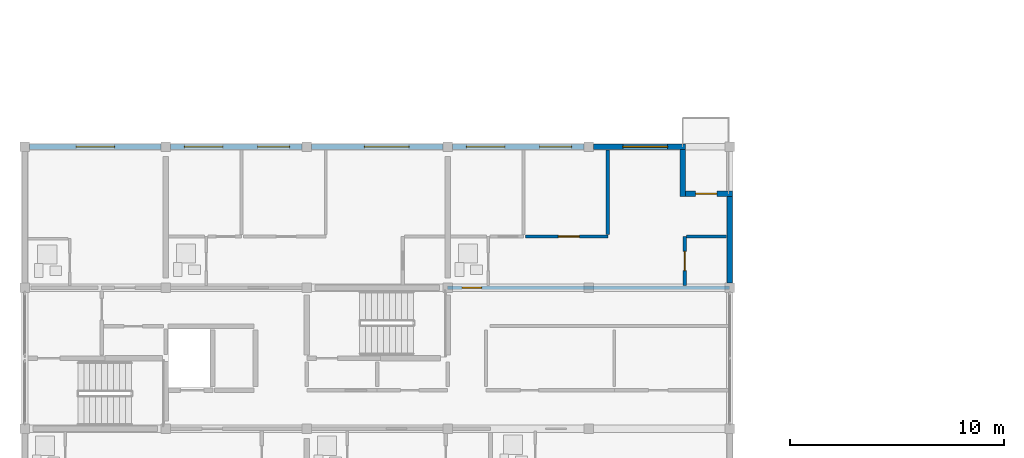
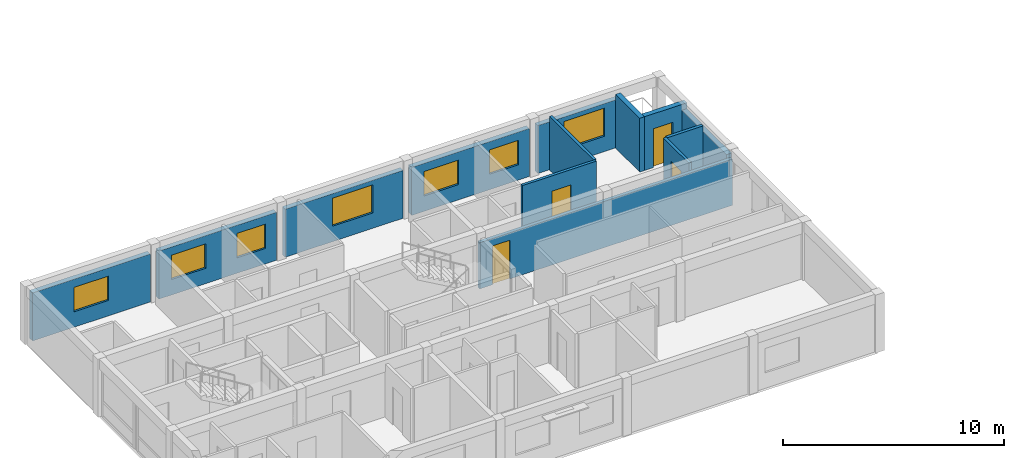
# One storey, part 22 of 37: 13 walls, 7 windows, 4 doors, 11 openings.
"""IFC4 building model written with IfcOpenShell, lengths in metres."""

from ifc_helpers import new_model, si_unit, direction, frame, frame_2d, origin, place, context, subcontext, project, spatial, rectangle, extrude, material, layer, layer_set, type_object, element, fill, save


model = new_model("IFC4")

# Units and contexts
model_context = context("Model", 3, precision=1e-05, world=origin(), true_north=direction((0.0, 1.0)))
body_context = subcontext(model_context, "Body", "Model", "MODEL_VIEW")
ifc_project = project(units=[si_unit("LENGTHUNIT", "METRE"), si_unit("AREAUNIT", "SQUARE_METRE"), si_unit("VOLUMEUNIT", "CUBIC_METRE"), si_unit("PLANEANGLEUNIT", "RADIAN"), si_unit("MASSUNIT", "GRAM", prefix="KILO")], contexts=[model_context])

# Site, building, storey
site_placement = place(None, origin())
site = spatial("IfcSite", under=ifc_project, at=site_placement, CompositionType="ELEMENT")
building_placement = place(site_placement, origin())
building = spatial("IfcBuilding", under=site, at=building_placement, Name="Kernevlak Ridge Housing Community", CompositionType="ELEMENT")
storey_placement = place(building_placement, frame((0.0, 0.0, 37.199951171875)))
storey = spatial("IfcBuildingStorey", under=building, at=storey_placement, Name="L11", CompositionType="ELEMENT", Elevation=37.199951171875)

# Wall, opening, window
ifc_material_1 = material(Name="Concrete block masonry M10", Category="masonry")
ifc_layer_1 = layer(ifc_material_1, 0.260009765625, Name="Concrete block masonry M10")
ifc_layer_set_1 = layer_set([ifc_layer_1], Name="Concrete block masonry M10")
wall_type_1 = type_object("IfcWallType", Name="EW-05", PredefinedType="STANDARD", material=ifc_layer_set_1)
wall_1_placement = place(storey_placement, frame((15.824951171875, 95.800048828125, 0.0), z_axis=(0.0, 0.0, 1.0), x_axis=(1.0, 0.0, 0.0)))
wall_1 = element("IfcWall", 1, at=wall_1_placement, inside=storey, type_object=wall_type_1, Name="Exterior wall EW-05 L11 178", PredefinedType="STANDARD", context=body_context, shape_type="SweptSolid", body=[
    extrude(rectangle(XDim=6.150146484375, YDim=0.260009765625, at=frame_2d((3.0751953125, 0.0))), origin(), (0.0, 0.0, 1.0), 2.650146484375),
])
opening_1_placement = place(wall_1_placement, frame((2.175048828125, 0.0, 0.85009765625)))
opening_1 = element("IfcOpeningElement", 2, at=opening_1_placement, cuts=wall_1, Name="Opening WT-03", PredefinedType="OPENING", context=body_context, shape_type="SweptSolid", body=[
    extrude(rectangle(XDim=1.800048828125, YDim=1.35009765625, at=frame_2d((0.89990234375, 0.675048828125))), frame((0.0, 0.139892578125, 0.0), z_axis=(0.0, -1.0, 0.0), x_axis=(1.0, 0.0, 0.0)), (0.0, 0.0, 1.0), 0.280029296875),
])
ifc_material_2 = material(Name="Aluminium EN AW-6060 anodised and laminated glass", Category="aluminium")
window_type_1 = type_object("IfcWindowType", Name="WT-03", PartitioningType="SINGLE_PANEL", PredefinedType="WINDOW", material=ifc_material_2)
window_1_placement = place(opening_1_placement, origin())
window_1 = element("IfcWindow", 3, at=window_1_placement, inside=storey, type_object=window_type_1, Name="Window WT-03 L11 141", OverallHeight=1.35009765625, OverallWidth=1.800048828125, PartitioningType="SINGLE_PANEL", PredefinedType="WINDOW", context=body_context, shape_type="SweptSolid", body=[
    extrude(rectangle(XDim=1.800048828125, YDim=1.35009765625, at=frame_2d((0.89990234375, 0.675048828125))), frame((0.0, 0.030029296875, 0.0), z_axis=(0.0, -1.0, 0.0), x_axis=(1.0, 0.0, 0.0)), (0.0, 0.0, 1.0), 0.06005859375),
])
fill(opening_1, window_1)

# Wall, openings, windows
wall_2_placement = place(storey_placement, frame((22.425048828125, 95.800048828125, 0.0), z_axis=(0.0, 0.0, 1.0), x_axis=(1.0, 0.0, 0.0)))
wall_2 = element("IfcWall", 4, at=wall_2_placement, inside=storey, type_object=wall_type_1, Name="Exterior wall EW-05 L11 179", PredefinedType="STANDARD", context=body_context, shape_type="SweptSolid", body=[
    extrude(rectangle(XDim=6.14990234375, YDim=0.260009765625, at=frame_2d((3.074951171875, 0.0))), origin(), (0.0, 0.0, 1.0), 2.650146484375),
])
opening_2_placement = place(wall_2_placement, frame((0.64990234375, 0.0, 0.85009765625)))
opening_2 = element("IfcOpeningElement", 5, at=opening_2_placement, cuts=wall_2, Name="Opening WT-03", PredefinedType="OPENING", context=body_context, shape_type="SweptSolid", body=[
    extrude(rectangle(XDim=1.800048828125, YDim=1.35009765625, at=frame_2d((0.89990234375, 0.675048828125))), frame((0.0, 0.139892578125, 0.0), z_axis=(0.0, -1.0, 0.0), x_axis=(1.0, 0.0, 0.0)), (0.0, 0.0, 1.0), 0.280029296875),
])
opening_3_placement = place(wall_2_placement, frame((4.074951171875, 0.0, 0.85009765625)))
opening_3 = element("IfcOpeningElement", 6, at=opening_3_placement, cuts=wall_2, Name="Opening WT-02", PredefinedType="OPENING", context=body_context, shape_type="SweptSolid", body=[
    extrude(rectangle(XDim=1.5, YDim=1.35009765625, at=frame_2d((0.75, 0.675048828125))), frame((0.0, 0.139892578125, 0.0), z_axis=(0.0, -1.0, 0.0), x_axis=(1.0, 0.0, 0.0)), (0.0, 0.0, 1.0), 0.280029296875),
])
window_type_2 = type_object("IfcWindowType", Name="WT-02", PartitioningType="SINGLE_PANEL", PredefinedType="WINDOW", material=ifc_material_2)
window_2_placement = place(opening_3_placement, origin())
window_2 = element("IfcWindow", 7, at=window_2_placement, inside=storey, type_object=window_type_2, Name="Window WT-02 L11 143", OverallHeight=1.35009765625, OverallWidth=1.5, PartitioningType="SINGLE_PANEL", PredefinedType="WINDOW", context=body_context, shape_type="SweptSolid", body=[
    extrude(rectangle(XDim=1.5, YDim=1.35009765625, at=frame_2d((0.75, 0.675048828125))), frame((0.0, 0.030029296875, 0.0), z_axis=(0.0, -1.0, 0.0), x_axis=(1.0, 0.0, 0.0)), (0.0, 0.0, 1.0), 0.06005859375),
])
fill(opening_3, window_2)
window_3_placement = place(opening_2_placement, origin())
window_3 = element("IfcWindow", 8, at=window_3_placement, inside=storey, type_object=window_type_1, Name="Window WT-03 L11 142", OverallHeight=1.35009765625, OverallWidth=1.800048828125, PartitioningType="SINGLE_PANEL", PredefinedType="WINDOW", context=body_context, shape_type="SweptSolid", body=[
    extrude(rectangle(XDim=1.800048828125, YDim=1.35009765625, at=frame_2d((0.89990234375, 0.675048828125))), frame((0.0, 0.030029296875, 0.0), z_axis=(0.0, -1.0, 0.0), x_axis=(1.0, 0.0, 0.0)), (0.0, 0.0, 1.0), 0.06005859375),
])
fill(opening_2, window_3)

# Wall, opening, window
wall_3_placement = place(storey_placement, frame((29.02490234375, 95.800048828125, 0.0), z_axis=(0.0, 0.0, 1.0), x_axis=(1.0, 0.0, 0.0)))
wall_3 = element("IfcWall", 9, at=wall_3_placement, inside=storey, type_object=wall_type_1, Name="Exterior wall EW-05 L11 180", PredefinedType="STANDARD", context=body_context, shape_type="SweptSolid", body=[
    extrude(rectangle(XDim=6.150146484375, YDim=0.260009765625, at=frame_2d((3.0751953125, 0.0))), origin(), (0.0, 0.0, 1.0), 2.650146484375),
])
opening_4_placement = place(wall_3_placement, frame((2.470947265625, 0.0, 0.85009765625)))
opening_4 = element("IfcOpeningElement", 10, at=opening_4_placement, cuts=wall_3, Name="Opening WT-05", PredefinedType="OPENING", context=body_context, shape_type="SweptSolid", body=[
    extrude(rectangle(XDim=2.10009765625, YDim=1.550048828125, at=frame_2d((1.050048828125, 0.77490234375))), frame((0.0, 0.139892578125, 0.0), z_axis=(0.0, -1.0, 0.0), x_axis=(1.0, 0.0, 0.0)), (0.0, 0.0, 1.0), 0.280029296875),
])
window_type_3 = type_object("IfcWindowType", Name="WT-05", PartitioningType="SINGLE_PANEL", PredefinedType="WINDOW", material=ifc_material_2)
window_4_placement = place(opening_4_placement, origin())
window_4 = element("IfcWindow", 11, at=window_4_placement, inside=storey, type_object=window_type_3, Name="Window WT-05 L11 144", OverallHeight=1.550048828125, OverallWidth=2.10009765625, PartitioningType="SINGLE_PANEL", PredefinedType="WINDOW", context=body_context, shape_type="SweptSolid", body=[
    extrude(rectangle(XDim=2.10009765625, YDim=1.550048828125, at=frame_2d((1.050048828125, 0.77490234375))), frame((0.0, 0.030029296875, 0.0), z_axis=(0.0, -1.0, 0.0), x_axis=(1.0, 0.0, 0.0)), (0.0, 0.0, 1.0), 0.06005859375),
])
fill(opening_4, window_4)

# Wall, openings, windows
wall_4_placement = place(storey_placement, frame((35.625, 95.800048828125, 0.0), z_axis=(0.0, 0.0, 1.0), x_axis=(1.0, 0.0, 0.0)))
wall_4 = element("IfcWall", 12, at=wall_4_placement, inside=storey, type_object=wall_type_1, Name="Exterior wall EW-05 L11 181", PredefinedType="STANDARD", context=body_context, shape_type="SweptSolid", body=[
    extrude(rectangle(XDim=6.14990234375, YDim=0.260009765625, at=frame_2d((3.074951171875, 0.0))), origin(), (0.0, 0.0, 1.0), 2.650146484375),
])
opening_5_placement = place(wall_4_placement, frame((0.64990234375, 0.0, 0.85009765625)))
opening_5 = element("IfcOpeningElement", 13, at=opening_5_placement, cuts=wall_4, Name="Opening WT-03", PredefinedType="OPENING", context=body_context, shape_type="SweptSolid", body=[
    extrude(rectangle(XDim=1.800048828125, YDim=1.35009765625, at=frame_2d((0.89990234375, 0.675048828125))), frame((0.0, 0.139892578125, 0.0), z_axis=(0.0, -1.0, 0.0), x_axis=(1.0, 0.0, 0.0)), (0.0, 0.0, 1.0), 0.280029296875),
])
opening_6_placement = place(wall_4_placement, frame((4.074951171875, 0.0, 0.85009765625)))
opening_6 = element("IfcOpeningElement", 14, at=opening_6_placement, cuts=wall_4, Name="Opening WT-02", PredefinedType="OPENING", context=body_context, shape_type="SweptSolid", body=[
    extrude(rectangle(XDim=1.5, YDim=1.35009765625, at=frame_2d((0.75, 0.675048828125))), frame((0.0, 0.139892578125, 0.0), z_axis=(0.0, -1.0, 0.0), x_axis=(1.0, 0.0, 0.0)), (0.0, 0.0, 1.0), 0.280029296875),
])
window_5_placement = place(opening_6_placement, origin())
window_5 = element("IfcWindow", 15, at=window_5_placement, inside=storey, type_object=window_type_2, Name="Window WT-02 L11 146", OverallHeight=1.35009765625, OverallWidth=1.5, PartitioningType="SINGLE_PANEL", PredefinedType="WINDOW", context=body_context, shape_type="SweptSolid", body=[
    extrude(rectangle(XDim=1.5, YDim=1.35009765625, at=frame_2d((0.75, 0.675048828125))), frame((0.0, 0.030029296875, 0.0), z_axis=(0.0, -1.0, 0.0), x_axis=(1.0, 0.0, 0.0)), (0.0, 0.0, 1.0), 0.06005859375),
])
fill(opening_6, window_5)
window_6_placement = place(opening_5_placement, origin())
window_6 = element("IfcWindow", 16, at=window_6_placement, inside=storey, type_object=window_type_1, Name="Window WT-03 L11 145", OverallHeight=1.35009765625, OverallWidth=1.800048828125, PartitioningType="SINGLE_PANEL", PredefinedType="WINDOW", context=body_context, shape_type="SweptSolid", body=[
    extrude(rectangle(XDim=1.800048828125, YDim=1.35009765625, at=frame_2d((0.89990234375, 0.675048828125))), frame((0.0, 0.030029296875, 0.0), z_axis=(0.0, -1.0, 0.0), x_axis=(1.0, 0.0, 0.0)), (0.0, 0.0, 1.0), 0.06005859375),
])
fill(opening_5, window_6)

# Wall, opening, window
wall_5_placement = place(storey_placement, frame((42.22509765625, 95.800048828125, 0.0), z_axis=(0.0, 0.0, 1.0), x_axis=(1.0, 0.0, 0.0)))
wall_5 = element("IfcWall", 17, at=wall_5_placement, inside=storey, type_object=wall_type_1, Name="Exterior wall EW-05 L11 182", PredefinedType="STANDARD", context=body_context, shape_type="SweptSolid", body=[
    extrude(rectangle(XDim=4.304931640625, YDim=0.260009765625, at=frame_2d((2.15234375, 0.0))), origin(), (0.0, 0.0, 1.0), 2.650146484375),
])
opening_7_placement = place(wall_5_placement, frame((1.37109375, 0.0, 0.85009765625)))
opening_7 = element("IfcOpeningElement", 18, at=opening_7_placement, cuts=wall_5, Name="Opening WT-05", PredefinedType="OPENING", context=body_context, shape_type="SweptSolid", body=[
    extrude(rectangle(XDim=2.10009765625, YDim=1.550048828125, at=frame_2d((1.050048828125, 0.77490234375))), frame((0.0, 0.139892578125, 0.0), z_axis=(0.0, -1.0, 0.0), x_axis=(1.0, 0.0, 0.0)), (0.0, 0.0, 1.0), 0.280029296875),
])
window_7_placement = place(opening_7_placement, origin())
window_7 = element("IfcWindow", 19, at=window_7_placement, inside=storey, type_object=window_type_3, Name="Window WT-05 L11 147", OverallHeight=1.550048828125, OverallWidth=2.10009765625, PartitioningType="SINGLE_PANEL", PredefinedType="WINDOW", context=body_context, shape_type="SweptSolid", body=[
    extrude(rectangle(XDim=2.10009765625, YDim=1.550048828125, at=frame_2d((1.050048828125, 0.77490234375))), frame((0.0, 0.030029296875, 0.0), z_axis=(0.0, -1.0, 0.0), x_axis=(1.0, 0.0, 0.0)), (0.0, 0.0, 1.0), 0.06005859375),
])
fill(opening_7, window_7)

# Wall
wall_6_placement = place(storey_placement, frame((46.39990234375, 95.669921875, 0.0), z_axis=(0.0, 0.0, 1.0), x_axis=(0.0, -1.0, 0.0)))
element("IfcWall", 20, at=wall_6_placement, inside=storey, type_object=wall_type_1, Name="Exterior wall EW-05 L11 183", PredefinedType="STANDARD", context=body_context, shape_type="SweptSolid", body=[
    extrude(rectangle(XDim=2.199951171875, YDim=0.260009765625, at=frame_2d((1.10009765625, 0.0))), origin(), (0.0, 0.0, 1.0), 2.969970703125),
])

# Wall, opening, door
wall_7_placement = place(storey_placement, frame((46.530029296875, 93.60009765625, 0.0), z_axis=(0.0, 0.0, 1.0), x_axis=(1.0, 0.0, 0.0)))
wall_7 = element("IfcWall", 21, at=wall_7_placement, inside=storey, type_object=wall_type_1, Name="Exterior wall EW-05 L11 184", PredefinedType="STANDARD", context=body_context, shape_type="SweptSolid", body=[
    extrude(rectangle(XDim=2.199951171875, YDim=0.260009765625, at=frame_2d((1.10009765625, 0.0))), origin(), (0.0, 0.0, 1.0), 2.969970703125),
])
opening_8_placement = place(wall_7_placement, frame((0.469970703125, 0.0, 0.0)))
opening_8 = element("IfcOpeningElement", 22, at=opening_8_placement, cuts=wall_7, Name="Opening D382", PredefinedType="OPENING", context=body_context, shape_type="SweptSolid", body=[
    extrude(rectangle(XDim=1.0, YDim=2.14990234375, at=frame_2d((0.5, 1.074951171875))), frame((0.0, 0.139892578125, 0.0), z_axis=(0.0, -1.0, 0.0), x_axis=(1.0, 0.0, 0.0)), (0.0, 0.0, 1.0), 0.280029296875),
])
ifc_material_3 = material(Name="Aluminium EN AW-6060 and laminated safety glass", Category="aluminium")
door_type_1 = type_object("IfcDoorType", Name="DT-08", OperationType="NOTDEFINED", PredefinedType="DOOR", material=ifc_material_3)
door_1_placement = place(opening_8_placement, origin())
door_1 = element("IfcDoor", 23, at=door_1_placement, inside=storey, type_object=door_type_1, Name="Flat A1123 corner balcony glazed door D382", OperationType="SINGLE_SWING_RIGHT", OverallHeight=2.14990234375, OverallWidth=1.0, PredefinedType="DOOR", context=body_context, shape_type="SweptSolid", body=[
    extrude(rectangle(XDim=1.0, YDim=2.14990234375, at=frame_2d((0.5, 1.074951171875))), frame((0.0, 0.02490234375, 0.0), z_axis=(0.0, -1.0, 0.0), x_axis=(1.0, 0.0, 0.0)), (0.0, 0.0, 1.0), 0.050048828125),
])
fill(opening_8, door_1)

# Wall
wall_8_placement = place(storey_placement, frame((48.60009765625, 89.425048828125, 0.0), z_axis=(0.0, 0.0, 1.0), x_axis=(0.0, 1.0, 0.0)))
element("IfcWall", 24, at=wall_8_placement, inside=storey, type_object=wall_type_1, Name="Exterior wall EW-05 L11 188", PredefinedType="STANDARD", context=body_context, shape_type="SweptSolid", body=[
    extrude(rectangle(XDim=4.044921875, YDim=0.260009765625, at=frame_2d((2.0224609375, 0.0))), origin(), (0.0, 0.0, 1.0), 2.650146484375),
])

# Wall, opening, door
ifc_layer_2 = layer(ifc_material_1, 0.175048828125, Name="Concrete block masonry M10")
ifc_layer_set_2 = layer_set([ifc_layer_2], Name="Concrete block masonry M10")
wall_type_2 = type_object("IfcWallType", Name="PW-02", PredefinedType="PARTITIONING", material=ifc_layer_set_2)
wall_9_placement = place(storey_placement, frame((35.39990234375, 89.199951171875, 0.0), z_axis=(0.0, 0.0, 1.0), x_axis=(1.0, 0.0, 0.0)))
wall_9 = element("IfcWall", 25, at=wall_9_placement, inside=storey, type_object=wall_type_2, Name="Interior wall PW-02 WAL-INT-L11-0747", PredefinedType="PARTITIONING", context=body_context, shape_type="SweptSolid", body=[
    extrude(rectangle(XDim=13.2001953125, YDim=0.175048828125, at=frame_2d((6.60009765625, 0.0))), origin(), (0.0, 0.0, 1.0), 2.550048828125),
])
opening_9_placement = place(wall_9_placement, frame((0.669921875, 0.0, 0.0)))
opening_9 = element("IfcOpeningElement", 26, at=opening_9_placement, cuts=wall_9, Name="Opening D377", PredefinedType="OPENING", context=body_context, shape_type="SweptSolid", body=[
    extrude(rectangle(XDim=0.919921875, YDim=2.139892578125, at=frame_2d((0.4599609375, 1.06982421875))), frame((0.0, 0.097412109375, 0.0), z_axis=(0.0, -1.0, 0.0), x_axis=(1.0, 0.0, 0.0)), (0.0, 0.0, 1.0), 0.195068359375),
])
ifc_material_4 = material(Name="Hardwood timber solid-core fire leaf", Category="wood")
door_type_2 = type_object("IfcDoorType", Name="DT-20", OperationType="NOTDEFINED", PredefinedType="DOOR", material=ifc_material_4)
door_2_placement = place(opening_9_placement, origin())
door_2 = element("IfcDoor", 27, at=door_2_placement, inside=storey, type_object=door_type_2, Name="Flat A1123 entrance fire door D377", OperationType="SINGLE_SWING_LEFT", OverallHeight=2.139892578125, OverallWidth=0.919921875, PredefinedType="DOOR", context=body_context, shape_type="SweptSolid", body=[
    extrude(rectangle(XDim=0.919921875, YDim=2.139892578125, at=frame_2d((0.4599609375, 1.06982421875))), frame((0.0, 0.02490234375, 0.0), z_axis=(0.0, -1.0, 0.0), x_axis=(1.0, 0.0, 0.0)), (0.0, 0.0, 1.0), 0.050048828125),
])
fill(opening_9, door_2)

ifc_layer_3 = layer(ifc_material_1, 0.14501953125, Name="Concrete block masonry M10")
ifc_layer_set_3 = layer_set([ifc_layer_3], Name="Concrete block masonry M10")
wall_type_3 = type_object("IfcWallType", Name="PW-03", PredefinedType="PARTITIONING", material=ifc_layer_set_3)
wall_10_placement = place(storey_placement, frame((39.032470703125, 91.60009765625, 0.0), z_axis=(0.0, 0.0, 1.0), x_axis=(1.0, 0.0, 0.0)))
wall_10 = element("IfcWall", 28, at=wall_10_placement, inside=storey, type_object=wall_type_3, Name="Interior wall PW-03 WAL-INT-L11-0754", PredefinedType="PARTITIONING", context=body_context, shape_type="SweptSolid", body=[
    extrude(rectangle(XDim=3.859619140625, YDim=0.14501953125, at=frame_2d((1.9296875, 0.0))), origin(), (0.0, 0.0, 1.0), 2.969970703125),
])
opening_10_placement = place(wall_10_placement, frame((1.5458984375, 0.0, 0.0)))
opening_10 = element("IfcOpeningElement", 29, at=opening_10_placement, cuts=wall_10, Name="Opening D381", PredefinedType="OPENING", context=body_context, shape_type="SweptSolid", body=[
    extrude(rectangle(XDim=0.97998046875, YDim=2.1201171875, at=frame_2d((0.489990234375, 1.06005859375))), frame((0.0, 0.08251953125, 0.0), z_axis=(0.0, -1.0, 0.0), x_axis=(1.0, 0.0, 0.0)), (0.0, 0.0, 1.0), 0.1650390625),
])
ifc_material_5 = material(Name="Hardwood timber leaf", Category="wood")
door_type_3 = type_object("IfcDoorType", Name="DT-24", OperationType="NOTDEFINED", PredefinedType="DOOR", material=ifc_material_5)
door_3_placement = place(opening_10_placement, origin())
door_3 = element("IfcDoor", 30, at=door_3_placement, inside=storey, type_object=door_type_3, Name="Flat A1123 bedroom door D381", OperationType="SINGLE_SWING_LEFT", OverallHeight=2.1201171875, OverallWidth=0.97998046875, PredefinedType="DOOR", context=body_context, shape_type="SweptSolid", body=[
    extrude(rectangle(XDim=0.97998046875, YDim=2.1201171875, at=frame_2d((0.489990234375, 1.06005859375))), frame((0.0, 0.02490234375, 0.0), z_axis=(0.0, -1.0, 0.0), x_axis=(1.0, 0.0, 0.0)), (0.0, 0.0, 1.0), 0.050048828125),
])
fill(opening_10, door_3)

# Wall
wall_11_placement = place(storey_placement, frame((42.89208984375, 91.6826171875, 0.0), z_axis=(0.0, 0.0, 1.0), x_axis=(0.0, 1.0, 0.0)))
element("IfcWall", 31, at=wall_11_placement, inside=storey, type_object=wall_type_3, Name="Interior wall PW-03 WAL-INT-L11-0755", PredefinedType="PARTITIONING", context=body_context, shape_type="SweptSolid", body=[
    extrude(rectangle(XDim=3.977294921875, YDim=0.14501953125, at=frame_2d((1.98876953125, 0.0))), origin(), (0.0, 0.0, 1.0), 2.969970703125),
])

# Wall, opening, door
ifc_material_6 = material(Name="Gypsum plasterboard EN 520", Category="gypsum")
ifc_layer_4 = layer(ifc_material_6, 0.155029296875, Name="Gypsum plasterboard EN 520")
ifc_layer_set_4 = layer_set([ifc_layer_4], Name="Gypsum plasterboard EN 520")
wall_type_4 = type_object("IfcWallType", Name="PW-05", PredefinedType="PARTITIONING", material=ifc_layer_set_4)
wall_12_placement = place(storey_placement, frame((46.5, 89.297607421875, 0.0), z_axis=(0.0, 0.0, 1.0), x_axis=(0.0, 1.0, 0.0)))
wall_12 = element("IfcWall", 32, at=wall_12_placement, inside=storey, type_object=wall_type_4, Name="Interior wall PW-05 WAL-INT-L11-0750", PredefinedType="PARTITIONING", context=body_context, shape_type="SweptSolid", body=[
    extrude(rectangle(XDim=2.302490234375, YDim=0.155029296875, at=frame_2d((1.1513671875, 0.0))), origin(), (0.0, 0.0, 1.0), 2.969970703125),
])
opening_11_placement = place(wall_12_placement, frame((0.699951171875, 0.0, 0.0)))
opening_11 = element("IfcOpeningElement", 33, at=opening_11_placement, cuts=wall_12, Name="Opening D379", PredefinedType="OPENING", context=body_context, shape_type="SweptSolid", body=[
    extrude(rectangle(XDim=0.89990234375, YDim=2.10009765625, at=frame_2d((0.449951171875, 1.050048828125))), frame((0.0, 0.08740234375, 0.0), z_axis=(0.0, -1.0, 0.0), x_axis=(1.0, 0.0, 0.0)), (0.0, 0.0, 1.0), 0.175048828125),
])
door_type_4 = type_object("IfcDoorType", Name="DT-21", OperationType="NOTDEFINED", PredefinedType="DOOR", material=ifc_material_5)
door_4_placement = place(opening_11_placement, origin())
door_4 = element("IfcDoor", 34, at=door_4_placement, inside=storey, type_object=door_type_4, Name="Flat A1123 kitchen door D379", OperationType="SINGLE_SWING_LEFT", OverallHeight=2.10009765625, OverallWidth=0.89990234375, PredefinedType="DOOR", context=body_context, shape_type="SweptSolid", body=[
    extrude(rectangle(XDim=0.89990234375, YDim=2.10009765625, at=frame_2d((0.449951171875, 1.050048828125))), frame((0.0, 0.02490234375, 0.0), z_axis=(0.0, -1.0, 0.0), x_axis=(1.0, 0.0, 0.0)), (0.0, 0.0, 1.0), 0.050048828125),
])
fill(opening_11, door_4)

# Wall
wall_13_placement = place(storey_placement, frame((46.58740234375, 91.60009765625, 0.0), z_axis=(0.0, 0.0, 1.0), x_axis=(1.0, 0.0, 0.0)))
element("IfcWall", 35, at=wall_13_placement, inside=storey, type_object=wall_type_4, Name="Interior wall PW-05 WAL-INT-L11-0751", PredefinedType="PARTITIONING", context=body_context, shape_type="SweptSolid", body=[
    extrude(rectangle(XDim=1.87255859375, YDim=0.155029296875, at=frame_2d((0.936279296875, 0.0))), origin(), (0.0, 0.0, 1.0), 2.969970703125),
])

save(model, "model.ifc")
